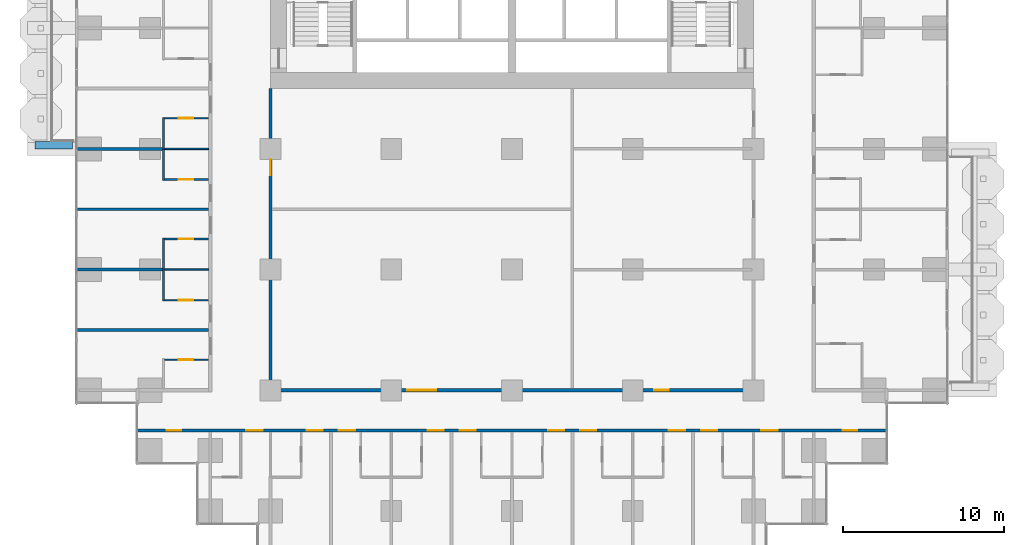
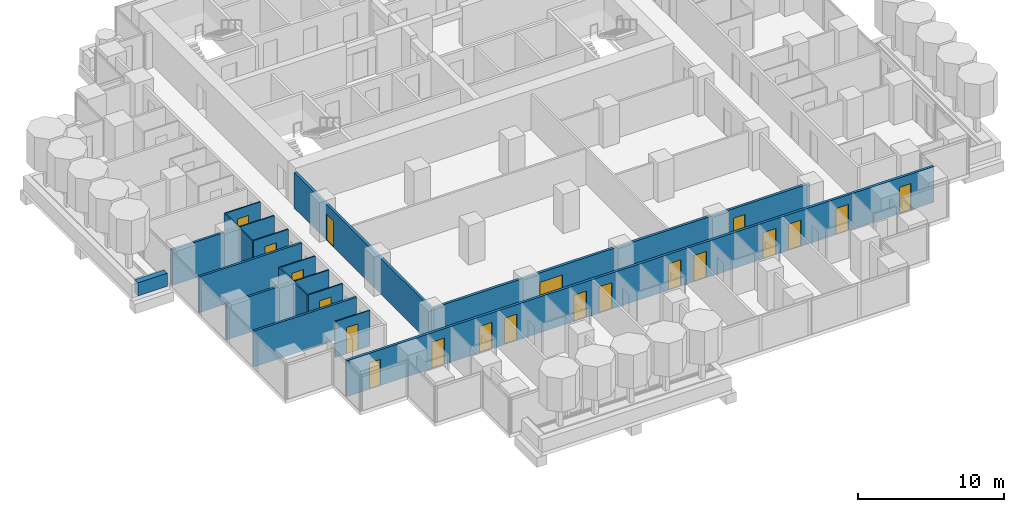
# One storey, part 11 of 19: 20 doors, 17 walls, 20 openings.
"""IFC4 building model written with IfcOpenShell, lengths in metres."""

from ifc_helpers import new_model, si_unit, direction, frame, frame_2d, origin, place, context, subcontext, project, spatial, rectangle, extrude, material, layer, layer_set, type_object, element, fill, save


model = new_model("IFC4")

# Units and contexts
model_context = context("Model", 3, precision=1e-05, world=origin(), true_north=direction((0.0, 1.0)))
body_context = subcontext(model_context, "Body", "Model", "MODEL_VIEW")
ifc_project = project(units=[si_unit("LENGTHUNIT", "METRE"), si_unit("AREAUNIT", "SQUARE_METRE"), si_unit("VOLUMEUNIT", "CUBIC_METRE"), si_unit("PLANEANGLEUNIT", "RADIAN"), si_unit("MASSUNIT", "GRAM", prefix="KILO")], contexts=[model_context])

# Site, building, storey
site_placement = place(None, origin())
site = spatial("IfcSite", under=ifc_project, at=site_placement, CompositionType="ELEMENT")
building_placement = place(site_placement, origin())
building = spatial("IfcBuilding", under=site, at=building_placement, Name="Pilkhan Gate Tower", CompositionType="ELEMENT")
storey_placement = place(building_placement, frame((0.0, 0.0, 62.60009765625)))
storey = spatial("IfcBuildingStorey", under=building, at=storey_placement, Name="L13", CompositionType="ELEMENT", Elevation=62.60009765625)

# Walls
ifc_material_1 = material(Name="Dense blockwork", Category="masonry")
ifc_layer_1 = layer(ifc_material_1, 0.175048828125)
ifc_layer_set_1 = layer_set([ifc_layer_1], Name="Acoustic party wall PW175")
wall_type_1 = type_object("IfcWallType", Name="Acoustic party wall PW175", PredefinedType="PARTITIONING", material=ifc_layer_set_1)
wall_1_placement = place(storey_placement, frame((47.985107421875, 56.25, 0.0), z_axis=(0.0, 0.0, 1.0), x_axis=(1.0, 0.0, 0.0)))
element("IfcWall", 1, at=wall_1_placement, inside=storey, type_object=wall_type_1, Name="Partition L13", PredefinedType="PARTITIONING", context=body_context, shape_type="SweptSolid", body=[
    extrude(rectangle(XDim=8.164794921875, YDim=0.175048828125, at=frame_2d((4.08251953125, 0.0))), origin(), (0.0, 0.0, 1.0), 3.0),
])
wall_2_placement = place(storey_placement, frame((47.985107421875, 60.0, 0.0), z_axis=(0.0, 0.0, 1.0), x_axis=(1.0, 0.0, 0.0)))
element("IfcWall", 2, at=wall_2_placement, inside=storey, type_object=wall_type_1, Name="Partition L13", PredefinedType="PARTITIONING", context=body_context, shape_type="SweptSolid", body=[
    extrude(rectangle(XDim=5.31494140625, YDim=0.175048828125, at=frame_2d((2.657470703125, 0.0))), origin(), (0.0, 0.0, 1.0), 3.0),
])
wall_3_placement = place(storey_placement, frame((47.985107421875, 63.75, 0.0), z_axis=(0.0, 0.0, 1.0), x_axis=(1.0, 0.0, 0.0)))
element("IfcWall", 3, at=wall_3_placement, inside=storey, type_object=wall_type_1, Name="Partition L13", PredefinedType="PARTITIONING", context=body_context, shape_type="SweptSolid", body=[
    extrude(rectangle(XDim=8.164794921875, YDim=0.175048828125, at=frame_2d((4.08251953125, 0.0))), origin(), (0.0, 0.0, 1.0), 3.0),
])
wall_4_placement = place(storey_placement, frame((47.985107421875, 67.5, 0.0), z_axis=(0.0, 0.0, 1.0), x_axis=(1.0, 0.0, 0.0)))
element("IfcWall", 4, at=wall_4_placement, inside=storey, type_object=wall_type_1, Name="Partition L13", PredefinedType="PARTITIONING", context=body_context, shape_type="SweptSolid", body=[
    extrude(rectangle(XDim=5.31494140625, YDim=0.175048828125, at=frame_2d((2.657470703125, 0.0))), origin(), (0.0, 0.0, 1.0), 3.0),
])
ifc_material_2 = material(Name="Board-marked Concrete C40/50", Category="concrete")
ifc_layer_2 = layer(ifc_material_2, 0.449951171875)
ifc_layer_set_2 = layer_set([ifc_layer_2], Name="Balcony planter lip BL450")
wall_type_2 = type_object("IfcWallType", Name="Balcony planter lip BL450", PredefinedType="USERDEFINED", material=ifc_layer_set_2)
wall_5_placement = place(storey_placement, frame((47.699951171875, 67.72509765625, 0.0), z_axis=(0.0, 0.0, 1.0), x_axis=(-1.0, 0.0, 0.0)))
element("IfcWall", 5, at=wall_5_placement, inside=storey, type_object=wall_type_2, Name="Balcony planter L13 W", ObjectType="BALCONY PLANTER", PredefinedType="USERDEFINED", context=body_context, shape_type="SweptSolid", body=[
    extrude(rectangle(XDim=2.349853515625, YDim=0.449951171875, at=frame_2d((1.1748046875, 0.0))), origin(), (0.0, 0.0, 1.0), 1.099853515625),
])

# Wall, openings, doors
ifc_layer_3 = layer(ifc_material_1, 0.199951171875)
ifc_layer_set_3 = layer_set([ifc_layer_3], Name="Corridor wall FW200")
wall_type_3 = type_object("IfcWallType", Name="Corridor wall FW200", PredefinedType="PARTITIONING", material=ifc_layer_set_3)
wall_6_placement = place(storey_placement, frame((51.735107421875, 50.0, 0.0), z_axis=(0.0, 0.0, 1.0), x_axis=(1.0, 0.0, 0.0)))
wall_6 = element("IfcWall", 6, at=wall_6_placement, inside=storey, type_object=wall_type_3, Name="Partition L13", PredefinedType="PARTITIONING", context=body_context, shape_type="SweptSolid", body=[
    extrude(rectangle(XDim=46.52978515625, YDim=0.199951171875, at=frame_2d((23.264892578125, 0.0))), origin(), (0.0, 0.0, 1.0), 3.0),
])
opening_1_placement = place(wall_6_placement, frame((6.764892578125, 0.0, 0.0)))
opening_1 = element("IfcOpeningElement", 7, at=opening_1_placement, cuts=wall_6, Name="Opening L13-06", PredefinedType="OPENING", context=body_context, shape_type="SweptSolid", body=[
    extrude(rectangle(XDim=1.0, YDim=2.199951171875, at=frame_2d((0.5, 1.10009765625))), frame((0.0, 0.10986328125, 0.0), z_axis=(0.0, -1.0, 0.0), x_axis=(1.0, 0.0, 0.0)), (0.0, 0.0, 1.0), 0.219970703125),
])
opening_2_placement = place(wall_6_placement, frame((10.514892578125, 0.0, 0.0)))
opening_2 = element("IfcOpeningElement", 8, at=opening_2_placement, cuts=wall_6, Name="Opening L13-08", PredefinedType="OPENING", context=body_context, shape_type="SweptSolid", body=[
    extrude(rectangle(XDim=1.0, YDim=2.199951171875, at=frame_2d((0.5, 1.10009765625))), frame((0.0, 0.10986328125, 0.0), z_axis=(0.0, -1.0, 0.0), x_axis=(1.0, 0.0, 0.0)), (0.0, 0.0, 1.0), 0.219970703125),
])
opening_3_placement = place(wall_6_placement, frame((12.514892578125, 0.0, 0.0)))
opening_3 = element("IfcOpeningElement", 9, at=opening_3_placement, cuts=wall_6, Name="Opening L13-10", PredefinedType="OPENING", context=body_context, shape_type="SweptSolid", body=[
    extrude(rectangle(XDim=1.0, YDim=2.199951171875, at=frame_2d((0.5, 1.10009765625))), frame((0.0, 0.10986328125, 0.0), z_axis=(0.0, -1.0, 0.0), x_axis=(1.0, 0.0, 0.0)), (0.0, 0.0, 1.0), 0.219970703125),
])
opening_4_placement = place(wall_6_placement, frame((18.014892578125, 0.0, 0.0)))
opening_4 = element("IfcOpeningElement", 10, at=opening_4_placement, cuts=wall_6, Name="Opening L13-12", PredefinedType="OPENING", context=body_context, shape_type="SweptSolid", body=[
    extrude(rectangle(XDim=1.0, YDim=2.199951171875, at=frame_2d((0.5, 1.10009765625))), frame((0.0, 0.10986328125, 0.0), z_axis=(0.0, -1.0, 0.0), x_axis=(1.0, 0.0, 0.0)), (0.0, 0.0, 1.0), 0.219970703125),
])
opening_5_placement = place(wall_6_placement, frame((20.014892578125, 0.0, 0.0)))
opening_5 = element("IfcOpeningElement", 11, at=opening_5_placement, cuts=wall_6, Name="Opening L13-14", PredefinedType="OPENING", context=body_context, shape_type="SweptSolid", body=[
    extrude(rectangle(XDim=1.0, YDim=2.199951171875, at=frame_2d((0.5, 1.10009765625))), frame((0.0, 0.10986328125, 0.0), z_axis=(0.0, -1.0, 0.0), x_axis=(1.0, 0.0, 0.0)), (0.0, 0.0, 1.0), 0.219970703125),
])
opening_6_placement = place(wall_6_placement, frame((25.514892578125, 0.0, 0.0)))
opening_6 = element("IfcOpeningElement", 12, at=opening_6_placement, cuts=wall_6, Name="Opening L13-16", PredefinedType="OPENING", context=body_context, shape_type="SweptSolid", body=[
    extrude(rectangle(XDim=1.0, YDim=2.199951171875, at=frame_2d((0.5, 1.10009765625))), frame((0.0, 0.10986328125, 0.0), z_axis=(0.0, -1.0, 0.0), x_axis=(1.0, 0.0, 0.0)), (0.0, 0.0, 1.0), 0.219970703125),
])
opening_7_placement = place(wall_6_placement, frame((27.514892578125, 0.0, 0.0)))
opening_7 = element("IfcOpeningElement", 13, at=opening_7_placement, cuts=wall_6, Name="Opening L13-18", PredefinedType="OPENING", context=body_context, shape_type="SweptSolid", body=[
    extrude(rectangle(XDim=1.0, YDim=2.199951171875, at=frame_2d((0.5, 1.10009765625))), frame((0.0, 0.10986328125, 0.0), z_axis=(0.0, -1.0, 0.0), x_axis=(1.0, 0.0, 0.0)), (0.0, 0.0, 1.0), 0.219970703125),
])
opening_8_placement = place(wall_6_placement, frame((33.014892578125, 0.0, 0.0)))
opening_8 = element("IfcOpeningElement", 14, at=opening_8_placement, cuts=wall_6, Name="Opening L13-20", PredefinedType="OPENING", context=body_context, shape_type="SweptSolid", body=[
    extrude(rectangle(XDim=1.0, YDim=2.199951171875, at=frame_2d((0.5, 1.10009765625))), frame((0.0, 0.10986328125, 0.0), z_axis=(0.0, -1.0, 0.0), x_axis=(1.0, 0.0, 0.0)), (0.0, 0.0, 1.0), 0.219970703125),
])
opening_9_placement = place(wall_6_placement, frame((35.014892578125, 0.0, 0.0)))
opening_9 = element("IfcOpeningElement", 15, at=opening_9_placement, cuts=wall_6, Name="Opening L13-22", PredefinedType="OPENING", context=body_context, shape_type="SweptSolid", body=[
    extrude(rectangle(XDim=1.0, YDim=2.199951171875, at=frame_2d((0.5, 1.10009765625))), frame((0.0, 0.10986328125, 0.0), z_axis=(0.0, -1.0, 0.0), x_axis=(1.0, 0.0, 0.0)), (0.0, 0.0, 1.0), 0.219970703125),
])
opening_10_placement = place(wall_6_placement, frame((38.764892578125, 0.0, 0.0)))
opening_10 = element("IfcOpeningElement", 16, at=opening_10_placement, cuts=wall_6, Name="Opening L13-24", PredefinedType="OPENING", context=body_context, shape_type="SweptSolid", body=[
    extrude(rectangle(XDim=1.0, YDim=2.199951171875, at=frame_2d((0.5, 1.10009765625))), frame((0.0, 0.10986328125, 0.0), z_axis=(0.0, -1.0, 0.0), x_axis=(1.0, 0.0, 0.0)), (0.0, 0.0, 1.0), 0.219970703125),
])
opening_11_placement = place(wall_6_placement, frame((1.800048828125, 0.0, 0.0)))
opening_11 = element("IfcOpeningElement", 17, at=opening_11_placement, cuts=wall_6, Name="Opening L13-60", PredefinedType="OPENING", context=body_context, shape_type="SweptSolid", body=[
    extrude(rectangle(XDim=0.89990234375, YDim=2.199951171875, at=frame_2d((0.449951171875, 1.10009765625))), frame((0.0, 0.10986328125, 0.0), z_axis=(0.0, -1.0, 0.0), x_axis=(1.0, 0.0, 0.0)), (0.0, 0.0, 1.0), 0.219970703125),
])
opening_12_placement = place(wall_6_placement, frame((43.81494140625, 0.0, 0.0)))
opening_12 = element("IfcOpeningElement", 18, at=opening_12_placement, cuts=wall_6, Name="Opening L13-61", PredefinedType="OPENING", context=body_context, shape_type="SweptSolid", body=[
    extrude(rectangle(XDim=0.89990234375, YDim=2.199951171875, at=frame_2d((0.449951171875, 1.10009765625))), frame((0.0, 0.10986328125, 0.0), z_axis=(0.0, -1.0, 0.0), x_axis=(1.0, 0.0, 0.0)), (0.0, 0.0, 1.0), 0.219970703125),
])
ifc_material_3 = material(Name="Timber flush door, 30 minute fire resisting", Category="wood")
door_type_1 = type_object("IfcDoorType", Name="Guest room door D01 1000x2200", OperationType="SINGLE_SWING_LEFT", PredefinedType="DOOR", material=ifc_material_3)
door_1_placement = place(opening_1_placement, origin())
door_1 = element("IfcDoor", 19, at=door_1_placement, inside=storey, type_object=door_type_1, Name="Guest room door", OperationType="SINGLE_SWING_RIGHT", OverallHeight=2.199951171875, OverallWidth=1.0, PredefinedType="DOOR", context=body_context, shape_type="SweptSolid", body=[
    extrude(rectangle(XDim=1.0, YDim=2.199951171875, at=frame_2d((0.5, 1.10009765625))), frame((0.0, 0.02490234375, 0.0), z_axis=(0.0, -1.0, 0.0), x_axis=(1.0, 0.0, 0.0)), (0.0, 0.0, 1.0), 0.050048828125),
])
fill(opening_1, door_1)
door_2_placement = place(opening_2_placement, origin())
door_2 = element("IfcDoor", 20, at=door_2_placement, inside=storey, type_object=door_type_1, Name="Guest room door", OperationType="SINGLE_SWING_RIGHT", OverallHeight=2.199951171875, OverallWidth=1.0, PredefinedType="DOOR", context=body_context, shape_type="SweptSolid", body=[
    extrude(rectangle(XDim=1.0, YDim=2.199951171875, at=frame_2d((0.5, 1.10009765625))), frame((0.0, 0.02490234375, 0.0), z_axis=(0.0, -1.0, 0.0), x_axis=(1.0, 0.0, 0.0)), (0.0, 0.0, 1.0), 0.050048828125),
])
fill(opening_2, door_2)
door_3_placement = place(opening_3_placement, origin())
door_3 = element("IfcDoor", 21, at=door_3_placement, inside=storey, type_object=door_type_1, Name="Guest room door", OperationType="SINGLE_SWING_RIGHT", OverallHeight=2.199951171875, OverallWidth=1.0, PredefinedType="DOOR", context=body_context, shape_type="SweptSolid", body=[
    extrude(rectangle(XDim=1.0, YDim=2.199951171875, at=frame_2d((0.5, 1.10009765625))), frame((0.0, 0.02490234375, 0.0), z_axis=(0.0, -1.0, 0.0), x_axis=(1.0, 0.0, 0.0)), (0.0, 0.0, 1.0), 0.050048828125),
])
fill(opening_3, door_3)
door_4_placement = place(opening_4_placement, origin())
door_4 = element("IfcDoor", 22, at=door_4_placement, inside=storey, type_object=door_type_1, Name="Guest room door", OperationType="SINGLE_SWING_LEFT", OverallHeight=2.199951171875, OverallWidth=1.0, PredefinedType="DOOR", context=body_context, shape_type="SweptSolid", body=[
    extrude(rectangle(XDim=1.0, YDim=2.199951171875, at=frame_2d((0.5, 1.10009765625))), frame((0.0, 0.02490234375, 0.0), z_axis=(0.0, -1.0, 0.0), x_axis=(1.0, 0.0, 0.0)), (0.0, 0.0, 1.0), 0.050048828125),
])
fill(opening_4, door_4)
door_5_placement = place(opening_5_placement, origin())
door_5 = element("IfcDoor", 23, at=door_5_placement, inside=storey, type_object=door_type_1, Name="Guest room door", OperationType="SINGLE_SWING_RIGHT", OverallHeight=2.199951171875, OverallWidth=1.0, PredefinedType="DOOR", context=body_context, shape_type="SweptSolid", body=[
    extrude(rectangle(XDim=1.0, YDim=2.199951171875, at=frame_2d((0.5, 1.10009765625))), frame((0.0, 0.02490234375, 0.0), z_axis=(0.0, -1.0, 0.0), x_axis=(1.0, 0.0, 0.0)), (0.0, 0.0, 1.0), 0.050048828125),
])
fill(opening_5, door_5)
door_6_placement = place(opening_6_placement, origin())
door_6 = element("IfcDoor", 24, at=door_6_placement, inside=storey, type_object=door_type_1, Name="Guest room door", OperationType="SINGLE_SWING_LEFT", OverallHeight=2.199951171875, OverallWidth=1.0, PredefinedType="DOOR", context=body_context, shape_type="SweptSolid", body=[
    extrude(rectangle(XDim=1.0, YDim=2.199951171875, at=frame_2d((0.5, 1.10009765625))), frame((0.0, 0.02490234375, 0.0), z_axis=(0.0, -1.0, 0.0), x_axis=(1.0, 0.0, 0.0)), (0.0, 0.0, 1.0), 0.050048828125),
])
fill(opening_6, door_6)
door_7_placement = place(opening_7_placement, origin())
door_7 = element("IfcDoor", 25, at=door_7_placement, inside=storey, type_object=door_type_1, Name="Guest room door", OperationType="SINGLE_SWING_LEFT", OverallHeight=2.199951171875, OverallWidth=1.0, PredefinedType="DOOR", context=body_context, shape_type="SweptSolid", body=[
    extrude(rectangle(XDim=1.0, YDim=2.199951171875, at=frame_2d((0.5, 1.10009765625))), frame((0.0, 0.02490234375, 0.0), z_axis=(0.0, -1.0, 0.0), x_axis=(1.0, 0.0, 0.0)), (0.0, 0.0, 1.0), 0.050048828125),
])
fill(opening_7, door_7)
door_8_placement = place(opening_8_placement, origin())
door_8 = element("IfcDoor", 26, at=door_8_placement, inside=storey, type_object=door_type_1, Name="Guest room door", OperationType="SINGLE_SWING_LEFT", OverallHeight=2.199951171875, OverallWidth=1.0, PredefinedType="DOOR", context=body_context, shape_type="SweptSolid", body=[
    extrude(rectangle(XDim=1.0, YDim=2.199951171875, at=frame_2d((0.5, 1.10009765625))), frame((0.0, 0.02490234375, 0.0), z_axis=(0.0, -1.0, 0.0), x_axis=(1.0, 0.0, 0.0)), (0.0, 0.0, 1.0), 0.050048828125),
])
fill(opening_8, door_8)
door_9_placement = place(opening_9_placement, origin())
door_9 = element("IfcDoor", 27, at=door_9_placement, inside=storey, type_object=door_type_1, Name="Guest room door", OperationType="SINGLE_SWING_LEFT", OverallHeight=2.199951171875, OverallWidth=1.0, PredefinedType="DOOR", context=body_context, shape_type="SweptSolid", body=[
    extrude(rectangle(XDim=1.0, YDim=2.199951171875, at=frame_2d((0.5, 1.10009765625))), frame((0.0, 0.02490234375, 0.0), z_axis=(0.0, -1.0, 0.0), x_axis=(1.0, 0.0, 0.0)), (0.0, 0.0, 1.0), 0.050048828125),
])
fill(opening_9, door_9)
door_10_placement = place(opening_10_placement, origin())
door_10 = element("IfcDoor", 28, at=door_10_placement, inside=storey, type_object=door_type_1, Name="Guest room door", OperationType="SINGLE_SWING_RIGHT", OverallHeight=2.199951171875, OverallWidth=1.0, PredefinedType="DOOR", context=body_context, shape_type="SweptSolid", body=[
    extrude(rectangle(XDim=1.0, YDim=2.199951171875, at=frame_2d((0.5, 1.10009765625))), frame((0.0, 0.02490234375, 0.0), z_axis=(0.0, -1.0, 0.0), x_axis=(1.0, 0.0, 0.0)), (0.0, 0.0, 1.0), 0.050048828125),
])
fill(opening_10, door_10)
ifc_material_4 = material(Name="Timber flush door, 60 minute fire resisting, self-closing", Category="wood")
door_type_2 = type_object("IfcDoorType", Name="Store door D05 900x2200", OperationType="SINGLE_SWING_LEFT", PredefinedType="DOOR", material=ifc_material_4)
door_11_placement = place(opening_11_placement, origin())
door_11 = element("IfcDoor", 29, at=door_11_placement, inside=storey, type_object=door_type_2, Name="Store door", OperationType="SINGLE_SWING_RIGHT", OverallHeight=2.199951171875, OverallWidth=0.89990234375, PredefinedType="DOOR", context=body_context, shape_type="SweptSolid", body=[
    extrude(rectangle(XDim=0.89990234375, YDim=2.199951171875, at=frame_2d((0.449951171875, 1.10009765625))), frame((0.0, 0.02490234375, 0.0), z_axis=(0.0, -1.0, 0.0), x_axis=(1.0, 0.0, 0.0)), (0.0, 0.0, 1.0), 0.050048828125),
])
fill(opening_11, door_11)
door_12_placement = place(opening_12_placement, origin())
door_12 = element("IfcDoor", 30, at=door_12_placement, inside=storey, type_object=door_type_2, Name="Store door", OperationType="SINGLE_SWING_LEFT", OverallHeight=2.199951171875, OverallWidth=0.89990234375, PredefinedType="DOOR", context=body_context, shape_type="SweptSolid", body=[
    extrude(rectangle(XDim=0.89990234375, YDim=2.199951171875, at=frame_2d((0.449951171875, 1.10009765625))), frame((0.0, 0.02490234375, 0.0), z_axis=(0.0, -1.0, 0.0), x_axis=(1.0, 0.0, 0.0)), (0.0, 0.0, 1.0), 0.050048828125),
])
fill(opening_12, door_12)

wall_7_placement = place(storey_placement, frame((60.10009765625, 52.5, 0.0), z_axis=(0.0, 0.0, 1.0), x_axis=(1.0, 0.0, 0.0)))
wall_7 = element("IfcWall", 31, at=wall_7_placement, inside=storey, type_object=wall_type_3, Name="Partition L13", PredefinedType="PARTITIONING", context=body_context, shape_type="SweptSolid", body=[
    extrude(rectangle(XDim=29.7998046875, YDim=0.199951171875, at=frame_2d((14.89990234375, 0.0))), origin(), (0.0, 0.0, 1.0), 3.0),
])
opening_13_placement = place(wall_7_placement, frame((8.39990234375, 0.0, 0.0)))
opening_13 = element("IfcOpeningElement", 32, at=opening_13_placement, cuts=wall_7, Name="Opening L13-65", PredefinedType="OPENING", context=body_context, shape_type="SweptSolid", body=[
    extrude(rectangle(XDim=1.800048828125, YDim=2.199951171875, at=frame_2d((0.89990234375, 1.10009765625))), frame((0.0, 0.10986328125, 0.0), z_axis=(0.0, -1.0, 0.0), x_axis=(1.0, 0.0, 0.0)), (0.0, 0.0, 1.0), 0.219970703125),
])
opening_14_placement = place(wall_7_placement, frame((23.75, 0.0, 0.0)))
opening_14 = element("IfcOpeningElement", 33, at=opening_14_placement, cuts=wall_7, Name="Opening L13-66", PredefinedType="OPENING", context=body_context, shape_type="SweptSolid", body=[
    extrude(rectangle(XDim=0.89990234375, YDim=2.199951171875, at=frame_2d((0.449951171875, 1.10009765625))), frame((0.0, 0.10986328125, 0.0), z_axis=(0.0, -1.0, 0.0), x_axis=(1.0, 0.0, 0.0)), (0.0, 0.0, 1.0), 0.219970703125),
])
ifc_material_5 = material(Name="Timber glazed double door, 30 minute fire resisting", Category="wood")
door_type_3 = type_object("IfcDoorType", Name="Double door D04 1800x2200", OperationType="DOUBLE_DOOR_SINGLE_SWING", PredefinedType="DOOR", material=ifc_material_5)
door_13_placement = place(opening_13_placement, origin())
door_13 = element("IfcDoor", 34, at=door_13_placement, inside=storey, type_object=door_type_3, Name="Double door", OperationType="DOUBLE_DOOR_SINGLE_SWING", OverallHeight=2.199951171875, OverallWidth=1.800048828125, PredefinedType="DOOR", context=body_context, shape_type="SweptSolid", body=[
    extrude(rectangle(XDim=1.800048828125, YDim=2.199951171875, at=frame_2d((0.89990234375, 1.10009765625))), frame((0.0, 0.02490234375, 0.0), z_axis=(0.0, -1.0, 0.0), x_axis=(1.0, 0.0, 0.0)), (0.0, 0.0, 1.0), 0.050048828125),
])
fill(opening_13, door_13)
door_14_placement = place(opening_14_placement, origin())
door_14 = element("IfcDoor", 35, at=door_14_placement, inside=storey, type_object=door_type_2, Name="Store door", OperationType="SINGLE_SWING_RIGHT", OverallHeight=2.199951171875, OverallWidth=0.89990234375, PredefinedType="DOOR", context=body_context, shape_type="SweptSolid", body=[
    extrude(rectangle(XDim=0.89990234375, YDim=2.199951171875, at=frame_2d((0.449951171875, 1.10009765625))), frame((0.0, 0.02490234375, 0.0), z_axis=(0.0, -1.0, 0.0), x_axis=(1.0, 0.0, 0.0)), (0.0, 0.0, 1.0), 0.050048828125),
])
fill(opening_14, door_14)

# Wall, opening, door
wall_8_placement = place(storey_placement, frame((60.0, 52.39990234375, 0.0), z_axis=(0.0, 0.0, 1.0), x_axis=(0.0, 1.0, 0.0)))
wall_8 = element("IfcWall", 36, at=wall_8_placement, inside=storey, type_object=wall_type_3, Name="Partition L13", PredefinedType="PARTITIONING", context=body_context, shape_type="SweptSolid", body=[
    extrude(rectangle(XDim=18.840087890625, YDim=0.199951171875, at=frame_2d((9.419921875, 0.0))), origin(), (0.0, 0.0, 1.0), 3.0),
])
opening_15_placement = place(wall_8_placement, frame((13.449951171875, 0.0, 0.0)))
opening_15 = element("IfcOpeningElement", 37, at=opening_15_placement, cuts=wall_8, Name="Opening L13-68", PredefinedType="OPENING", context=body_context, shape_type="SweptSolid", body=[
    extrude(rectangle(XDim=1.0, YDim=2.199951171875, at=frame_2d((0.5, 1.10009765625))), frame((0.0, 0.10986328125, 0.0), z_axis=(0.0, -1.0, 0.0), x_axis=(1.0, 0.0, 0.0)), (0.0, 0.0, 1.0), 0.219970703125),
])
door_type_4 = type_object("IfcDoorType", Name="Room door D03 1000x2200", OperationType="SINGLE_SWING_LEFT", PredefinedType="DOOR", material=ifc_material_3)
door_15_placement = place(opening_15_placement, origin())
door_15 = element("IfcDoor", 38, at=door_15_placement, inside=storey, type_object=door_type_4, Name="Room door", OperationType="SINGLE_SWING_LEFT", OverallHeight=2.199951171875, OverallWidth=1.0, PredefinedType="DOOR", context=body_context, shape_type="SweptSolid", body=[
    extrude(rectangle(XDim=1.0, YDim=2.199951171875, at=frame_2d((0.5, 1.10009765625))), frame((0.0, 0.02490234375, 0.0), z_axis=(0.0, -1.0, 0.0), x_axis=(1.0, 0.0, 0.0)), (0.0, 0.0, 1.0), 0.050048828125),
])
fill(opening_15, door_15)

ifc_material_6 = material(Name="Moisture resistant board, tiled")
ifc_layer_4 = layer(ifc_material_6, 0.10009765625)
ifc_layer_set_4 = layer_set([ifc_layer_4], Name="Wet wall PW100")
wall_type_4 = type_object("IfcWallType", Name="Wet wall PW100", PredefinedType="PARTITIONING", material=ifc_layer_set_4)
wall_9_placement = place(storey_placement, frame((53.39990234375, 54.39990234375, 0.0), z_axis=(0.0, 0.0, 1.0), x_axis=(1.0, 0.0, 0.0)))
wall_9 = element("IfcWall", 39, at=wall_9_placement, inside=storey, type_object=wall_type_4, Name="Partition L13", PredefinedType="PARTITIONING", context=body_context, shape_type="SweptSolid", body=[
    extrude(rectangle(XDim=2.75, YDim=0.10009765625, at=frame_2d((1.375, 0.0))), origin(), (0.0, 0.0, 1.0), 3.0),
])
opening_16_placement = place(wall_9_placement, frame((0.89990234375, 0.0, 0.0)))
opening_16 = element("IfcOpeningElement", 40, at=opening_16_placement, cuts=wall_9, Name="Opening L13-27", PredefinedType="OPENING", context=body_context, shape_type="SweptSolid", body=[
    extrude(rectangle(XDim=0.89990234375, YDim=2.199951171875, at=frame_2d((0.449951171875, 1.10009765625))), frame((0.0, 0.06005859375, 0.0), z_axis=(0.0, -1.0, 0.0), x_axis=(1.0, 0.0, 0.0)), (0.0, 0.0, 1.0), 0.1201171875),
])
ifc_material_7 = material(Name="Timber flush door", Category="wood")
door_type_5 = type_object("IfcDoorType", Name="Bathroom door D02 900x2200", OperationType="SINGLE_SWING_RIGHT", PredefinedType="DOOR", material=ifc_material_7)
door_16_placement = place(opening_16_placement, origin())
door_16 = element("IfcDoor", 41, at=door_16_placement, inside=storey, type_object=door_type_5, Name="Bathroom door", OperationType="SINGLE_SWING_RIGHT", OverallHeight=2.199951171875, OverallWidth=0.89990234375, PredefinedType="DOOR", context=body_context, shape_type="SweptSolid", body=[
    extrude(rectangle(XDim=0.89990234375, YDim=2.199951171875, at=frame_2d((0.449951171875, 1.10009765625))), frame((0.0, 0.02490234375, 0.0), z_axis=(0.0, -1.0, 0.0), x_axis=(1.0, 0.0, 0.0)), (0.0, 0.0, 1.0), 0.050048828125),
])
fill(opening_16, door_16)

wall_10_placement = place(storey_placement, frame((53.39990234375, 58.10009765625, 0.0), z_axis=(0.0, 0.0, 1.0), x_axis=(1.0, 0.0, 0.0)))
wall_10 = element("IfcWall", 42, at=wall_10_placement, inside=storey, type_object=wall_type_4, Name="Partition L13", PredefinedType="PARTITIONING", context=body_context, shape_type="SweptSolid", body=[
    extrude(rectangle(XDim=2.75, YDim=0.10009765625, at=frame_2d((1.375, 0.0))), origin(), (0.0, 0.0, 1.0), 3.0),
])
opening_17_placement = place(wall_10_placement, frame((0.89990234375, 0.0, 0.0)))
opening_17 = element("IfcOpeningElement", 43, at=opening_17_placement, cuts=wall_10, Name="Opening L13-29", PredefinedType="OPENING", context=body_context, shape_type="SweptSolid", body=[
    extrude(rectangle(XDim=0.89990234375, YDim=2.199951171875, at=frame_2d((0.449951171875, 1.10009765625))), frame((0.0, 0.06005859375, 0.0), z_axis=(0.0, -1.0, 0.0), x_axis=(1.0, 0.0, 0.0)), (0.0, 0.0, 1.0), 0.1201171875),
])
door_17_placement = place(opening_17_placement, origin())
door_17 = element("IfcDoor", 44, at=door_17_placement, inside=storey, type_object=door_type_5, Name="Bathroom door", OperationType="SINGLE_SWING_RIGHT", OverallHeight=2.199951171875, OverallWidth=0.89990234375, PredefinedType="DOOR", context=body_context, shape_type="SweptSolid", body=[
    extrude(rectangle(XDim=0.89990234375, YDim=2.199951171875, at=frame_2d((0.449951171875, 1.10009765625))), frame((0.0, 0.02490234375, 0.0), z_axis=(0.0, -1.0, 0.0), x_axis=(1.0, 0.0, 0.0)), (0.0, 0.0, 1.0), 0.050048828125),
])
fill(opening_17, door_17)

# Wall
wall_11_placement = place(storey_placement, frame((53.39990234375, 60.0, 0.0), z_axis=(0.0, 0.0, 1.0), x_axis=(1.0, 0.0, 0.0)))
element("IfcWall", 45, at=wall_11_placement, inside=storey, type_object=wall_type_4, Name="Partition L13", PredefinedType="PARTITIONING", context=body_context, shape_type="SweptSolid", body=[
    extrude(rectangle(XDim=2.75, YDim=0.10009765625, at=frame_2d((1.375, 0.0))), origin(), (0.0, 0.0, 1.0), 3.0),
])

# Wall, opening, door
wall_12_placement = place(storey_placement, frame((53.39990234375, 61.89990234375, 0.0), z_axis=(0.0, 0.0, 1.0), x_axis=(1.0, 0.0, 0.0)))
wall_12 = element("IfcWall", 46, at=wall_12_placement, inside=storey, type_object=wall_type_4, Name="Partition L13", PredefinedType="PARTITIONING", context=body_context, shape_type="SweptSolid", body=[
    extrude(rectangle(XDim=2.75, YDim=0.10009765625, at=frame_2d((1.375, 0.0))), origin(), (0.0, 0.0, 1.0), 3.0),
])
opening_18_placement = place(wall_12_placement, frame((0.89990234375, 0.0, 0.0)))
opening_18 = element("IfcOpeningElement", 47, at=opening_18_placement, cuts=wall_12, Name="Opening L13-31", PredefinedType="OPENING", context=body_context, shape_type="SweptSolid", body=[
    extrude(rectangle(XDim=0.89990234375, YDim=2.199951171875, at=frame_2d((0.449951171875, 1.10009765625))), frame((0.0, 0.06005859375, 0.0), z_axis=(0.0, -1.0, 0.0), x_axis=(1.0, 0.0, 0.0)), (0.0, 0.0, 1.0), 0.1201171875),
])
door_18_placement = place(opening_18_placement, origin())
door_18 = element("IfcDoor", 48, at=door_18_placement, inside=storey, type_object=door_type_5, Name="Bathroom door", OperationType="SINGLE_SWING_RIGHT", OverallHeight=2.199951171875, OverallWidth=0.89990234375, PredefinedType="DOOR", context=body_context, shape_type="SweptSolid", body=[
    extrude(rectangle(XDim=0.89990234375, YDim=2.199951171875, at=frame_2d((0.449951171875, 1.10009765625))), frame((0.0, 0.02490234375, 0.0), z_axis=(0.0, -1.0, 0.0), x_axis=(1.0, 0.0, 0.0)), (0.0, 0.0, 1.0), 0.050048828125),
])
fill(opening_18, door_18)

wall_13_placement = place(storey_placement, frame((53.39990234375, 65.60009765625, 0.0), z_axis=(0.0, 0.0, 1.0), x_axis=(1.0, 0.0, 0.0)))
wall_13 = element("IfcWall", 49, at=wall_13_placement, inside=storey, type_object=wall_type_4, Name="Partition L13", PredefinedType="PARTITIONING", context=body_context, shape_type="SweptSolid", body=[
    extrude(rectangle(XDim=2.75, YDim=0.10009765625, at=frame_2d((1.375, 0.0))), origin(), (0.0, 0.0, 1.0), 3.0),
])
opening_19_placement = place(wall_13_placement, frame((0.89990234375, 0.0, 0.0)))
opening_19 = element("IfcOpeningElement", 50, at=opening_19_placement, cuts=wall_13, Name="Opening L13-33", PredefinedType="OPENING", context=body_context, shape_type="SweptSolid", body=[
    extrude(rectangle(XDim=0.89990234375, YDim=2.199951171875, at=frame_2d((0.449951171875, 1.10009765625))), frame((0.0, 0.06005859375, 0.0), z_axis=(0.0, -1.0, 0.0), x_axis=(1.0, 0.0, 0.0)), (0.0, 0.0, 1.0), 0.1201171875),
])
door_19_placement = place(opening_19_placement, origin())
door_19 = element("IfcDoor", 51, at=door_19_placement, inside=storey, type_object=door_type_5, Name="Bathroom door", OperationType="SINGLE_SWING_RIGHT", OverallHeight=2.199951171875, OverallWidth=0.89990234375, PredefinedType="DOOR", context=body_context, shape_type="SweptSolid", body=[
    extrude(rectangle(XDim=0.89990234375, YDim=2.199951171875, at=frame_2d((0.449951171875, 1.10009765625))), frame((0.0, 0.02490234375, 0.0), z_axis=(0.0, -1.0, 0.0), x_axis=(1.0, 0.0, 0.0)), (0.0, 0.0, 1.0), 0.050048828125),
])
fill(opening_19, door_19)

# Wall
wall_14_placement = place(storey_placement, frame((53.39990234375, 67.5, 0.0), z_axis=(0.0, 0.0, 1.0), x_axis=(1.0, 0.0, 0.0)))
element("IfcWall", 52, at=wall_14_placement, inside=storey, type_object=wall_type_4, Name="Partition L13", PredefinedType="PARTITIONING", context=body_context, shape_type="SweptSolid", body=[
    extrude(rectangle(XDim=2.75, YDim=0.10009765625, at=frame_2d((1.375, 0.0))), origin(), (0.0, 0.0, 1.0), 3.0),
])

# Wall, opening, door
wall_15_placement = place(storey_placement, frame((53.39990234375, 69.39990234375, 0.0), z_axis=(0.0, 0.0, 1.0), x_axis=(1.0, 0.0, 0.0)))
wall_15 = element("IfcWall", 53, at=wall_15_placement, inside=storey, type_object=wall_type_4, Name="Partition L13", PredefinedType="PARTITIONING", context=body_context, shape_type="SweptSolid", body=[
    extrude(rectangle(XDim=2.75, YDim=0.10009765625, at=frame_2d((1.375, 0.0))), origin(), (0.0, 0.0, 1.0), 3.0),
])
opening_20_placement = place(wall_15_placement, frame((0.89990234375, 0.0, 0.0)))
opening_20 = element("IfcOpeningElement", 54, at=opening_20_placement, cuts=wall_15, Name="Opening L13-35", PredefinedType="OPENING", context=body_context, shape_type="SweptSolid", body=[
    extrude(rectangle(XDim=0.89990234375, YDim=2.199951171875, at=frame_2d((0.449951171875, 1.10009765625))), frame((0.0, 0.06005859375, 0.0), z_axis=(0.0, -1.0, 0.0), x_axis=(1.0, 0.0, 0.0)), (0.0, 0.0, 1.0), 0.1201171875),
])
door_20_placement = place(opening_20_placement, origin())
door_20 = element("IfcDoor", 55, at=door_20_placement, inside=storey, type_object=door_type_5, Name="Bathroom door", OperationType="SINGLE_SWING_RIGHT", OverallHeight=2.199951171875, OverallWidth=0.89990234375, PredefinedType="DOOR", context=body_context, shape_type="SweptSolid", body=[
    extrude(rectangle(XDim=0.89990234375, YDim=2.199951171875, at=frame_2d((0.449951171875, 1.10009765625))), frame((0.0, 0.02490234375, 0.0), z_axis=(0.0, -1.0, 0.0), x_axis=(1.0, 0.0, 0.0)), (0.0, 0.0, 1.0), 0.050048828125),
])
fill(opening_20, door_20)

# Walls
for number, where, z_axis, x_axis, name in (
    (56, (53.35009765625, 58.050048828125, 0.0), (0.0, 0.0, 1.0), (0.0, 1.0, 0.0), "Partition L13"),
    (57, (53.35009765625, 65.550048828125, 0.0), (0.0, 0.0, 1.0), (0.0, 1.0, 0.0), "Partition L13"),
):
    element("IfcWall", number, at=place(storey_placement, frame(where, z_axis=z_axis, x_axis=x_axis)), inside=storey, type_object=wall_type_4, Name=name, PredefinedType="PARTITIONING", context=body_context, shape_type="SweptSolid", body=[
        extrude(rectangle(XDim=3.89990234375, YDim=0.10009765625, at=frame_2d((1.949951171875, 0.0))), origin(), (0.0, 0.0, 1.0), 3.0),
    ])

save(model, "model.ifc")
